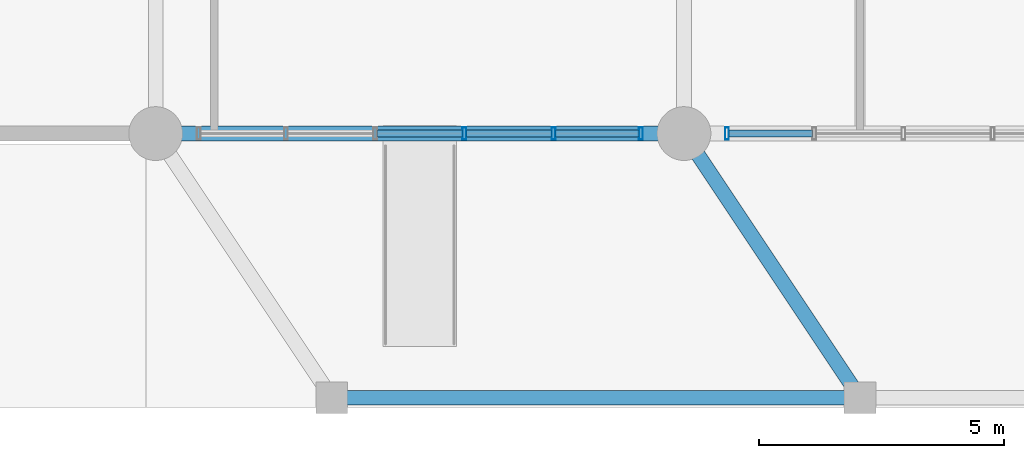
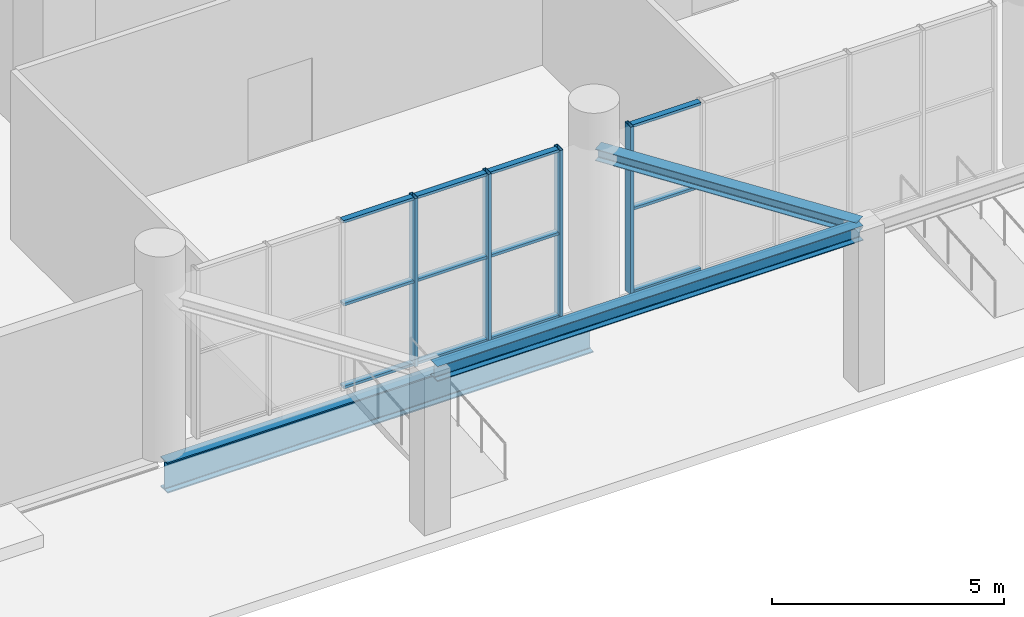
# One storey, part 3 of 22: 16 members, 3 beams, 2 elements without a shape of their own.
"""IFC4 building model written with IfcOpenShell, lengths in metres."""

from ifc_helpers import new_model, si_unit, direction, frame, origin, origin_2d, place, context, subcontext, project, spatial, hollow_rectangle, i_section, extrude, material, layer, layer_set, material_profile, profile_set, type_object, element, aggregate, save


model = new_model("IFC4")

# Units and contexts
model_context = context("Model", 3, precision=1e-05, world=origin(), true_north=direction((0.0, 1.0)))
body_context = subcontext(model_context, "Body", "Model", "MODEL_VIEW")
ifc_project = project(units=[si_unit("LENGTHUNIT", "METRE"), si_unit("AREAUNIT", "SQUARE_METRE"), si_unit("VOLUMEUNIT", "CUBIC_METRE"), si_unit("PLANEANGLEUNIT", "RADIAN"), si_unit("MASSUNIT", "GRAM", prefix="KILO")], contexts=[model_context])

# Site, building, storey
site_placement = place(None, origin())
site = spatial("IfcSite", under=ifc_project, at=site_placement, CompositionType="ELEMENT")
building_placement = place(site_placement, origin())
building = spatial("IfcBuilding", under=site, at=building_placement, Name="Solnavia Interchange Tower", CompositionType="ELEMENT")
storey_placement = place(building_placement, origin())
storey = spatial("IfcBuildingStorey", under=building, at=storey_placement, Name="L00", CompositionType="ELEMENT", Elevation=0.0)

# Beams
ifc_material_1 = material(Name="Steel S460", Category="steel")
ifc_material_profile_1 = material_profile(ifc_material_1, i_section(OverallWidth=0.300048828125, OverallDepth=0.800048828125, WebThickness=0.017578125, FlangeThickness=0.032958984375, FilletRadius=0.030029296875, at=origin_2d()), Name="HEB 800")
ifc_profile_set_1 = profile_set([ifc_material_profile_1], Name="Steel S460")
beam_type_1 = type_object("IfcBeamType", Name="Beam-Girder-HEB800", PredefinedType="BEAM", material=ifc_profile_set_1)
beam_1_placement = place(storey_placement, frame((10.89990234375, 0.0, -0.75), z_axis=(1.0, 0.0, 0.0), x_axis=(0.0, 1.0, 0.0)))
element("IfcBeam", 1, at=beam_1_placement, inside=storey, type_object=beam_type_1, Name="GRD-L00-02 Podium primary girder", PredefinedType="BEAM", context=body_context, shape_type="SweptSolid", body=[
    extrude(i_section(OverallWidth=0.300048828125, OverallDepth=0.800048828125, WebThickness=0.017578125, FlangeThickness=0.032958984375, FilletRadius=0.030029296875, at=origin_2d()), origin(), (0.0, 0.0, 1.0), 10.60009765625),
])
ifc_material_2 = material(Name="Steel S355", Category="steel")
ifc_material_profile_2 = material_profile(ifc_material_2, i_section(OverallWidth=0.300048828125, OverallDepth=0.31005859375, WebThickness=0.009033203125, FlangeThickness=0.015380859375, FilletRadius=0.027099609375, at=origin_2d()), Name="HEA 320")
ifc_profile_set_2 = profile_set([ifc_material_profile_2], Name="Steel S355")
beam_type_2 = type_object("IfcBeamType", Name="Beam-Primary-HEA320", PredefinedType="BEAM", material=ifc_profile_set_2)
beam_2_placement = place(storey_placement, frame((25.14453125, -5.31689453125, 4.044921875), z_axis=(-0.55469123911, 0.832056265678, 0.0), x_axis=(-0.832056265678, -0.55469123911, 0.0)))
element("IfcBeam", 2, at=beam_2_placement, inside=storey, type_object=beam_type_2, Name="GRD-L00-CANT2 Promenade canopy tie beam", PredefinedType="BEAM", context=body_context, shape_type="SweptSolid", body=[
    extrude(i_section(OverallWidth=0.300048828125, OverallDepth=0.31005859375, WebThickness=0.009033203125, FlangeThickness=0.015380859375, FilletRadius=0.027099609375, at=origin_2d()), origin(), (0.0, 0.0, 1.0), 6.2900390625),
])
ifc_material_profile_3 = material_profile(ifc_material_2, i_section(OverallWidth=0.300048828125, OverallDepth=0.389892578125, WebThickness=0.010986328125, FlangeThickness=0.01904296875, FilletRadius=0.027099609375, at=origin_2d()), Name="HEA 400")
ifc_profile_set_3 = profile_set([ifc_material_profile_3], Name="Steel S355")
beam_type_3 = type_object("IfcBeamType", Name="Beam-Primary-HEA400", PredefinedType="BEAM", material=ifc_profile_set_3)
beam_3_placement = place(storey_placement, frame((14.5, -5.39990234375, 4.0048828125), z_axis=(1.0, 0.0, 0.0), x_axis=(0.0, 1.0, 0.0)))
element("IfcBeam", 3, at=beam_3_placement, inside=storey, type_object=beam_type_3, Name="GRD-L00-CAN1 Promenade canopy girder", PredefinedType="BEAM", context=body_context, shape_type="SweptSolid", body=[
    extrude(i_section(OverallWidth=0.300048828125, OverallDepth=0.389892578125, WebThickness=0.010986328125, FlangeThickness=0.01904296875, FilletRadius=0.027099609375, at=origin_2d()), origin(), (0.0, 0.0, 1.0), 10.60009765625),
])

# Curtain wall, members
ifc_material_3 = material(Name="Aluminium Alloy 6063-T6", Category="aluminium")
ifc_layer = layer(ifc_material_3, 0.27001953125)
ifc_layer_set = layer_set([ifc_layer], Name="Aluminium Alloy 6063-T6")
curtain_wall_type = type_object("IfcCurtainWallType", Name="CurtainWall-Podium-CTW1", PredefinedType="NOTDEFINED", material=ifc_layer_set)
curtain_wall_1_placement = place(storey_placement, origin())
curtain_wall_1 = element("IfcCurtainWall", 4, at=curtain_wall_1_placement, inside=storey, type_object=curtain_wall_type, Name="CTW-L00-S01 CTW-1 curtain wall", PredefinedType="NOTDEFINED")
ifc_material_profile_4 = material_profile(ifc_material_3, hollow_rectangle(XDim=0.080078125, YDim=0.25, WallThickness=0.006103515625, at=origin_2d()), Name="ALU 250x80x6")
ifc_profile_set_4 = profile_set([ifc_material_profile_4], Name="Aluminium Alloy 6063-T6")
member_type_1 = type_object("IfcMemberType", Name="CW-Mullion-CWM-1", PredefinedType="MULLION", material=ifc_profile_set_4)
member_1_placement = place(storey_placement, frame((20.719970703125, 0.0, 0.0), z_axis=(0.0, 0.0, 1.0), x_axis=(-1.0, 0.0, 0.0)))
member_1 = element("IfcMember", 5, at=member_1_placement, type_object=member_type_1, Name="CTW-1 mullion 1", PredefinedType="MULLION", context=body_context, shape_type="SweptSolid", body=[
    extrude(hollow_rectangle(XDim=0.080078125, YDim=0.25, WallThickness=0.006103515625, at=origin_2d()), origin(), (0.0, 0.0, 1.0), 4.429931640625),
])
member_2_placement = place(storey_placement, frame((18.93603515625, 0.0, 0.0), z_axis=(0.0, 0.0, 1.0), x_axis=(-1.0, 0.0, 0.0)))
member_2 = element("IfcMember", 6, at=member_2_placement, type_object=member_type_1, Name="CTW-1 mullion 2", PredefinedType="MULLION", context=body_context, shape_type="SweptSolid", body=[
    extrude(hollow_rectangle(XDim=0.080078125, YDim=0.25, WallThickness=0.006103515625, at=origin_2d()), origin(), (0.0, 0.0, 1.0), 4.429931640625),
])
member_3_placement = place(storey_placement, frame((17.112060546875, 0.0, 0.0), z_axis=(0.0, 0.0, 1.0), x_axis=(-1.0, 0.0, 0.0)))
member_3 = element("IfcMember", 7, at=member_3_placement, type_object=member_type_1, Name="CTW-1 mullion 3", PredefinedType="MULLION", context=body_context, shape_type="SweptSolid", body=[
    extrude(hollow_rectangle(XDim=0.080078125, YDim=0.25, WallThickness=0.006103515625, at=origin_2d()), origin(), (0.0, 0.0, 1.0), 4.429931640625),
])

# Curtain wall, member
curtain_wall_2_placement = place(storey_placement, origin())
curtain_wall_2 = element("IfcCurtainWall", 8, at=curtain_wall_2_placement, inside=storey, type_object=curtain_wall_type, Name="CTW-L00-S02 CTW-1 curtain wall", PredefinedType="NOTDEFINED")
member_4_placement = place(storey_placement, frame((22.47998046875, 0.0, 0.0), z_axis=(0.0, 0.0, 1.0), x_axis=(-1.0, 0.0, 0.0)))
member_4 = element("IfcMember", 9, at=member_4_placement, type_object=member_type_1, Name="CTW-1 mullion 6", PredefinedType="MULLION", context=body_context, shape_type="SweptSolid", body=[
    extrude(hollow_rectangle(XDim=0.080078125, YDim=0.25, WallThickness=0.006103515625, at=origin_2d()), origin(), (0.0, 0.0, 1.0), 4.429931640625),
])

# Member
ifc_material_profile_5 = material_profile(ifc_material_3, hollow_rectangle(XDim=0.070068359375, YDim=0.14990234375, WallThickness=0.00439453125, at=origin_2d()), Name="ALU 150x70x4.5")
ifc_profile_set_5 = profile_set([ifc_material_profile_5], Name="Aluminium Alloy 6063-T6")
member_type_2 = type_object("IfcMemberType", Name="CW-Transom-CWT-1", PredefinedType="USERDEFINED", material=ifc_profile_set_5)
member_5_placement = place(storey_placement, frame((20.679931640625, 0.0, 0.034912109375), z_axis=(-1.0, 0.0, 0.0), x_axis=(0.0, 0.0, 1.0)))
member_5 = element("IfcMember", 10, at=member_5_placement, type_object=member_type_2, Name="CTW-1 transom 1.1", ObjectType="TRANSOM", PredefinedType="USERDEFINED", context=body_context, shape_type="SweptSolid", body=[
    extrude(hollow_rectangle(XDim=0.070068359375, YDim=0.14990234375, WallThickness=0.00439453125, at=origin_2d()), origin(), (0.0, 0.0, 1.0), 1.703857421875),
])

member_6_placement = place(storey_placement, frame((20.679931640625, 0.0, 2.215087890625), z_axis=(-1.0, 0.0, 0.0), x_axis=(0.0, 0.0, 1.0)))
member_6 = element("IfcMember", 11, at=member_6_placement, type_object=member_type_2, Name="CTW-1 transom 1.2", ObjectType="TRANSOM", PredefinedType="USERDEFINED", context=body_context, shape_type="SweptSolid", body=[
    extrude(hollow_rectangle(XDim=0.070068359375, YDim=0.14990234375, WallThickness=0.00439453125, at=origin_2d()), origin(), (0.0, 0.0, 1.0), 1.703857421875),
])

member_7_placement = place(storey_placement, frame((20.679931640625, 0.0, 4.39501953125), z_axis=(-1.0, 0.0, 0.0), x_axis=(0.0, 0.0, 1.0)))
member_7 = element("IfcMember", 12, at=member_7_placement, type_object=member_type_2, Name="CTW-1 transom 1.3", ObjectType="TRANSOM", PredefinedType="USERDEFINED", context=body_context, shape_type="SweptSolid", body=[
    extrude(hollow_rectangle(XDim=0.070068359375, YDim=0.14990234375, WallThickness=0.00439453125, at=origin_2d()), origin(), (0.0, 0.0, 1.0), 1.703857421875),
])

member_8_placement = place(storey_placement, frame((18.89599609375, 0.0, 0.034912109375), z_axis=(-1.0, 0.0, 0.0), x_axis=(0.0, 0.0, 1.0)))
member_8 = element("IfcMember", 13, at=member_8_placement, type_object=member_type_2, Name="CTW-1 transom 2.1", ObjectType="TRANSOM", PredefinedType="USERDEFINED", context=body_context, shape_type="SweptSolid", body=[
    extrude(hollow_rectangle(XDim=0.070068359375, YDim=0.14990234375, WallThickness=0.00439453125, at=origin_2d()), origin(), (0.0, 0.0, 1.0), 1.743896484375),
])

member_9_placement = place(storey_placement, frame((18.89599609375, 0.0, 2.215087890625), z_axis=(-1.0, 0.0, 0.0), x_axis=(0.0, 0.0, 1.0)))
member_9 = element("IfcMember", 14, at=member_9_placement, type_object=member_type_2, Name="CTW-1 transom 2.2", ObjectType="TRANSOM", PredefinedType="USERDEFINED", context=body_context, shape_type="SweptSolid", body=[
    extrude(hollow_rectangle(XDim=0.070068359375, YDim=0.14990234375, WallThickness=0.00439453125, at=origin_2d()), origin(), (0.0, 0.0, 1.0), 1.743896484375),
])

member_10_placement = place(storey_placement, frame((18.89599609375, 0.0, 4.39501953125), z_axis=(-1.0, 0.0, 0.0), x_axis=(0.0, 0.0, 1.0)))
member_10 = element("IfcMember", 15, at=member_10_placement, type_object=member_type_2, Name="CTW-1 transom 2.3", ObjectType="TRANSOM", PredefinedType="USERDEFINED", context=body_context, shape_type="SweptSolid", body=[
    extrude(hollow_rectangle(XDim=0.070068359375, YDim=0.14990234375, WallThickness=0.00439453125, at=origin_2d()), origin(), (0.0, 0.0, 1.0), 1.743896484375),
])

member_11_placement = place(storey_placement, frame((17.072021484375, 0.0, 0.034912109375), z_axis=(-1.0, 0.0, 0.0), x_axis=(0.0, 0.0, 1.0)))
member_11 = element("IfcMember", 16, at=member_11_placement, type_object=member_type_2, Name="CTW-1 transom 3.1", ObjectType="TRANSOM", PredefinedType="USERDEFINED", context=body_context, shape_type="SweptSolid", body=[
    extrude(hollow_rectangle(XDim=0.070068359375, YDim=0.14990234375, WallThickness=0.00439453125, at=origin_2d()), origin(), (0.0, 0.0, 1.0), 1.744140625),
])

member_12_placement = place(storey_placement, frame((17.072021484375, 0.0, 2.215087890625), z_axis=(-1.0, 0.0, 0.0), x_axis=(0.0, 0.0, 1.0)))
member_12 = element("IfcMember", 17, at=member_12_placement, type_object=member_type_2, Name="CTW-1 transom 3.2", ObjectType="TRANSOM", PredefinedType="USERDEFINED", context=body_context, shape_type="SweptSolid", body=[
    extrude(hollow_rectangle(XDim=0.070068359375, YDim=0.14990234375, WallThickness=0.00439453125, at=origin_2d()), origin(), (0.0, 0.0, 1.0), 1.744140625),
])

member_13_placement = place(storey_placement, frame((17.072021484375, 0.0, 4.39501953125), z_axis=(-1.0, 0.0, 0.0), x_axis=(0.0, 0.0, 1.0)))
member_13 = element("IfcMember", 18, at=member_13_placement, type_object=member_type_2, Name="CTW-1 transom 3.3", ObjectType="TRANSOM", PredefinedType="USERDEFINED", context=body_context, shape_type="SweptSolid", body=[
    extrude(hollow_rectangle(XDim=0.070068359375, YDim=0.14990234375, WallThickness=0.00439453125, at=origin_2d()), origin(), (0.0, 0.0, 1.0), 1.744140625),
])

aggregate(curtain_wall_1, [member_1, member_2, member_3, member_5, member_6, member_7, member_8, member_9, member_10, member_11, member_12, member_13])

member_14_placement = place(storey_placement, frame((24.22412109375, 0.0, 0.034912109375), z_axis=(-1.0, 0.0, 0.0), x_axis=(0.0, 0.0, 1.0)))
member_14 = element("IfcMember", 19, at=member_14_placement, type_object=member_type_2, Name="CTW-1 transom 5.1", ObjectType="TRANSOM", PredefinedType="USERDEFINED", context=body_context, shape_type="SweptSolid", body=[
    extrude(hollow_rectangle(XDim=0.070068359375, YDim=0.14990234375, WallThickness=0.00439453125, at=origin_2d()), origin(), (0.0, 0.0, 1.0), 1.7041015625),
])

member_15_placement = place(storey_placement, frame((24.22412109375, 0.0, 2.215087890625), z_axis=(-1.0, 0.0, 0.0), x_axis=(0.0, 0.0, 1.0)))
member_15 = element("IfcMember", 20, at=member_15_placement, type_object=member_type_2, Name="CTW-1 transom 5.2", ObjectType="TRANSOM", PredefinedType="USERDEFINED", context=body_context, shape_type="SweptSolid", body=[
    extrude(hollow_rectangle(XDim=0.070068359375, YDim=0.14990234375, WallThickness=0.00439453125, at=origin_2d()), origin(), (0.0, 0.0, 1.0), 1.7041015625),
])

member_16_placement = place(storey_placement, frame((24.22412109375, 0.0, 4.39501953125), z_axis=(-1.0, 0.0, 0.0), x_axis=(0.0, 0.0, 1.0)))
member_16 = element("IfcMember", 21, at=member_16_placement, type_object=member_type_2, Name="CTW-1 transom 5.3", ObjectType="TRANSOM", PredefinedType="USERDEFINED", context=body_context, shape_type="SweptSolid", body=[
    extrude(hollow_rectangle(XDim=0.070068359375, YDim=0.14990234375, WallThickness=0.00439453125, at=origin_2d()), origin(), (0.0, 0.0, 1.0), 1.7041015625),
])

aggregate(curtain_wall_2, [member_4, member_14, member_15, member_16])

save(model, "model.ifc")
